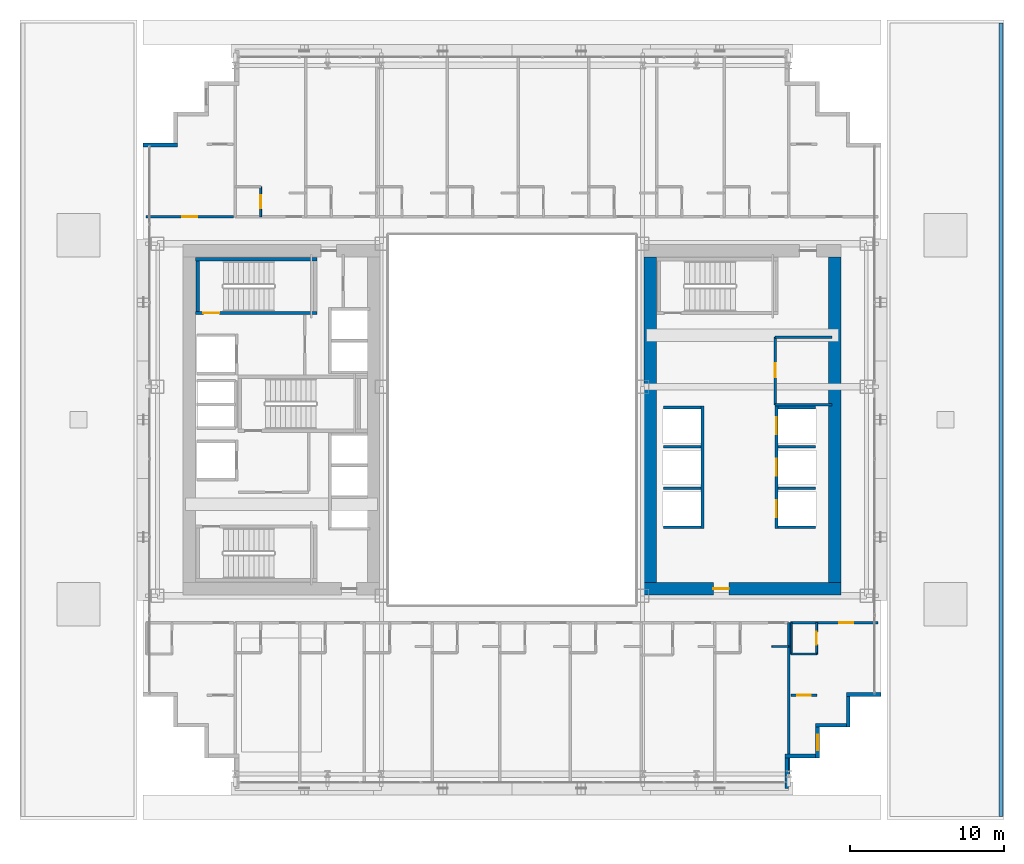
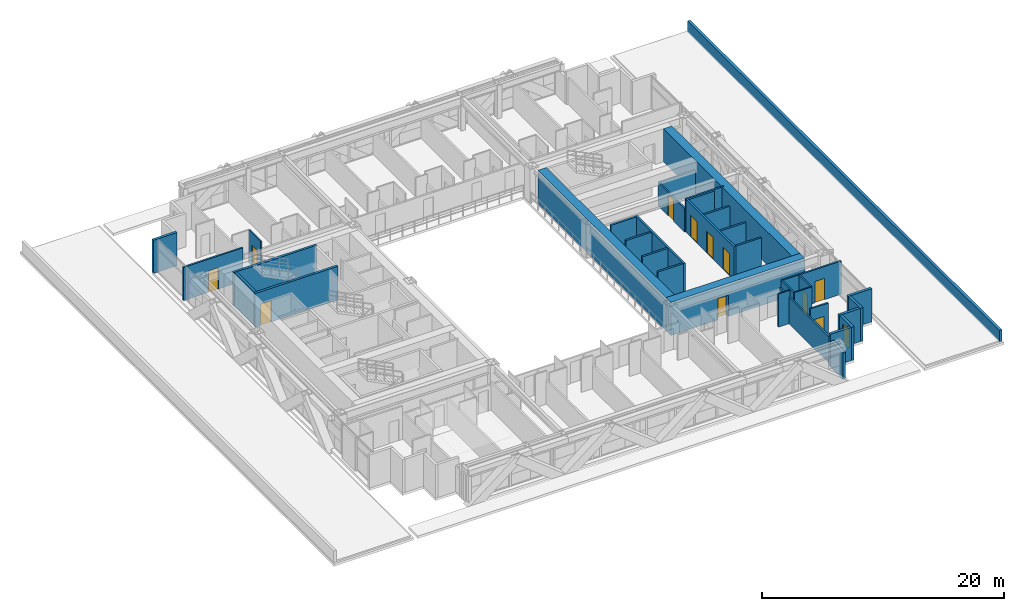
# One storey, part 28 of 35: 36 walls, 11 doors, 1 window, 12 openings.
"""IFC4 building model written with IfcOpenShell, lengths in metres."""

from ifc_helpers import new_model, si_unit, direction, frame, frame_2d, origin, place, context, subcontext, project, spatial, rectangle, extrude, source, transform, mapped, material, layer, layer_set, type_object, element, fill, save


model = new_model("IFC4")

# Units and contexts
model_context = context("Model", 3, precision=1e-05, world=origin(), true_north=direction((0.0, 1.0)))
body_context = subcontext(model_context, "Body", "Model", "MODEL_VIEW")
ifc_project = project(units=[si_unit("LENGTHUNIT", "METRE"), si_unit("AREAUNIT", "SQUARE_METRE"), si_unit("VOLUMEUNIT", "CUBIC_METRE"), si_unit("PLANEANGLEUNIT", "RADIAN"), si_unit("MASSUNIT", "GRAM", prefix="KILO")], contexts=[model_context])

# Site, building, storey
site_placement = place(None, origin())
site = spatial("IfcSite", under=ifc_project, at=site_placement, CompositionType="ELEMENT")
building_placement = place(site_placement, origin())
building = spatial("IfcBuilding", under=site, at=building_placement, Name="Ocotamira Hotel", CompositionType="ELEMENT")
storey_placement = place(building_placement, frame((0.0, 0.0, 34.800048828125)))
storey = spatial("IfcBuildingStorey", under=building, at=storey_placement, Name="L07", CompositionType="ELEMENT", Elevation=34.800048828125)

# Wall, opening, door
ifc_material_1 = material(Name="Concrete C60/75", Category="concrete")
ifc_layer_1 = layer(ifc_material_1, 0.800048828125)
ifc_layer_set_1 = layer_set([ifc_layer_1], Name="Concrete C60/75")
wall_type_1 = type_object("IfcWallType", Name="WL-CORE-800", PredefinedType="SHEAR", material=ifc_layer_set_1)
wall_1_placement = place(storey_placement, frame((40.60009765625, 15.0, 0.0), z_axis=(0.0, 0.0, 1.0), x_axis=(1.0, 0.0, 0.0)))
wall_1 = element("IfcWall", 1, at=wall_1_placement, inside=storey, type_object=wall_type_1, Name="L07 Shear Core Wall ECORE-S", PredefinedType="SHEAR", context=body_context, shape_type="SweptSolid", body=[
    extrude(rectangle(XDim=12.7998046875, YDim=0.800048828125, at=frame_2d((6.39990234375, 0.0))), origin(), (0.0, 0.0, 1.0), 3.349853515625),
])
opening_1_placement = place(wall_1_placement, frame((4.5, 0.0, 0.0)))
opening_1 = element("IfcOpeningElement", 2, at=opening_1_placement, cuts=wall_1, Name="Opening D-FR2", PredefinedType="OPENING", context=body_context, shape_type="SweptSolid", body=[
    extrude(rectangle(XDim=1.0, YDim=2.14990234375, at=frame_2d((0.5, 1.074951171875))), frame((0.0, 0.41015625, 0.0), z_axis=(0.0, -1.0, 0.0), x_axis=(1.0, 0.0, 0.0)), (0.0, 0.0, 1.0), 0.820068359375),
])
ifc_material_2 = material(Name="Fire-rated acoustic timber-veneer door", Category="wood")
door_type_1 = type_object("IfcDoorType", Name="DR-FIRE-1000", OperationType="NOTDEFINED", PredefinedType="DOOR", material=ifc_material_2)
shared_shape_1 = source(origin(), body_context, "Body", "SweptSolid", [
    extrude(rectangle(XDim=1.0, YDim=2.14990234375, at=frame_2d((0.5, 1.074951171875))), frame((0.0, 0.02490234375, 0.0), z_axis=(0.0, -1.0, 0.0), x_axis=(1.0, 0.0, 0.0)), (0.0, 0.0, 1.0), 0.050048828125),
])
door_1_placement = place(opening_1_placement, origin())
door_1 = element("IfcDoor", 3, at=door_1_placement, inside=storey, type_object=door_type_1, Name="L07 Door ID-L07-ELOB-S-D [ID-L07-ELOB-S-D]", OperationType="SINGLE_SWING_RIGHT", OverallHeight=2.14990234375, OverallWidth=1.0, PredefinedType="DOOR", context=body_context, shape_type="MappedRepresentation", body=[
    mapped(shared_shape_1, transform((0.0, 0.0, 0.0), scale=1.0)),
])
fill(opening_1, door_1)

# Walls
for number, where, z_axis, x_axis, name in (
    (4, (41.0, 15.39990234375, 0.0), (0.0, 0.0, 1.0), (0.0, 1.0, 0.0), "L07 Shear Core Wall ECORE-W"),
    (5, (53.0, 15.39990234375, 0.0), (0.0, 0.0, 1.0), (0.0, 1.0, 0.0), "L07 Shear Core Wall ECORE-E"),
):
    element("IfcWall", number, at=place(storey_placement, frame(where, z_axis=z_axis, x_axis=x_axis)), inside=storey, type_object=wall_type_1, Name=name, PredefinedType="SHEAR", context=body_context, shape_type="SweptSolid", body=[
        extrude(rectangle(XDim=21.2001953125, YDim=0.800048828125, at=frame_2d((10.60009765625, 0.0))), origin(), (0.0, 0.0, 1.0), 3.349853515625),
    ])
ifc_material_3 = material(Name="Precast concrete C45/55", Category="concrete")
ifc_layer_2 = layer(ifc_material_3, 0.25)
ifc_layer_set_2 = layer_set([ifc_layer_2], Name="Precast concrete C45/55")
wall_type_2 = type_object("IfcWallType", Name="WL-EXT-SER-250", PredefinedType="SOLIDWALL", material=ifc_layer_set_2)
wall_2_placement = place(storey_placement, frame((49.875, 2.0, 0.0), z_axis=(0.0, 0.0, 1.0), x_axis=(0.0, 1.0, 0.0)))
element("IfcWall", 6, at=wall_2_placement, inside=storey, type_object=wall_type_2, Name="L07 Serrated Corner Wall 01", PredefinedType="SOLIDWALL", context=body_context, shape_type="SweptSolid", body=[
    extrude(rectangle(XDim=2.0, YDim=0.25, at=frame_2d((1.0, 0.0))), origin(), (0.0, 0.0, 1.0), 2.656982421875),
])
wall_3_placement = place(storey_placement, frame((49.75, 4.125, 0.0), z_axis=(0.0, 0.0, 1.0), x_axis=(1.0, 0.0, 0.0)))
element("IfcWall", 7, at=wall_3_placement, inside=storey, type_object=wall_type_2, Name="L07 Serrated Corner Wall 02", PredefinedType="SOLIDWALL", context=body_context, shape_type="SweptSolid", body=[
    extrude(rectangle(XDim=2.0, YDim=0.25, at=frame_2d((1.0, 0.0))), origin(), (0.0, 0.0, 1.0), 3.349853515625),
])

# Wall, opening, window
wall_4_placement = place(storey_placement, frame((51.875, 4.0, 0.0), z_axis=(0.0, 0.0, 1.0), x_axis=(0.0, 1.0, 0.0)))
wall_4 = element("IfcWall", 8, at=wall_4_placement, inside=storey, type_object=wall_type_2, Name="L07 Serrated Corner Wall 03", PredefinedType="SOLIDWALL", context=body_context, shape_type="SweptSolid", body=[
    extrude(rectangle(XDim=2.0, YDim=0.25, at=frame_2d((1.0, 0.0))), origin(), (0.0, 0.0, 1.0), 3.349853515625),
])
opening_2_placement = place(wall_4_placement, frame((0.5, 0.0, 0.85009765625)))
opening_2 = element("IfcOpeningElement", 9, at=opening_2_placement, cuts=wall_4, Name="Opening WN-2", PredefinedType="OPENING", context=body_context, shape_type="SweptSolid", body=[
    extrude(rectangle(XDim=1.0, YDim=1.89990234375, at=frame_2d((0.5, 0.949951171875))), frame((0.0, 0.135009765625, 0.0), z_axis=(0.0, -1.0, 0.0), x_axis=(1.0, 0.0, 0.0)), (0.0, 0.0, 1.0), 0.27001953125),
])
ifc_material_4 = material(Name="Double-silver low-E solar glass", Category="glass")
window_type = type_object("IfcWindowType", Name="WIN-SER-1100", PartitioningType="SINGLE_PANEL", PredefinedType="WINDOW", material=ifc_material_4)
shared_shape_2 = source(origin(), body_context, "Body", "SweptSolid", [
    extrude(rectangle(XDim=1.0, YDim=1.89990234375, at=frame_2d((0.5, 0.949951171875))), frame((0.0, 0.030029296875, 0.0), z_axis=(0.0, -1.0, 0.0), x_axis=(1.0, 0.0, 0.0)), (0.0, 0.0, 1.0), 0.06005859375),
])
window_placement = place(opening_2_placement, origin())
window = element("IfcWindow", 10, at=window_placement, inside=storey, type_object=window_type, Name="L07 Serrated Corner Window 03", OverallHeight=1.89990234375, OverallWidth=1.0, PartitioningType="SINGLE_PANEL", PredefinedType="WINDOW", context=body_context, shape_type="MappedRepresentation", body=[
    mapped(shared_shape_2, transform((0.0, 0.0, 0.0), scale=1.0)),
])
fill(opening_2, window)

# Walls
for number, where, z_axis, x_axis, name in (
    (11, (51.75, 6.125, 0.0), (0.0, 0.0, 1.0), (1.0, 0.0, 0.0), "L07 Serrated Corner Wall 04"),
    (12, (53.875, 6.0, 0.0), (0.0, 0.0, 1.0), (0.0, 1.0, 0.0), "L07 Serrated Corner Wall 05"),
):
    element("IfcWall", number, at=place(storey_placement, frame(where, z_axis=z_axis, x_axis=x_axis)), inside=storey, type_object=wall_type_2, Name=name, PredefinedType="SOLIDWALL", context=body_context, shape_type="SweptSolid", body=[
        extrude(rectangle(XDim=2.0, YDim=0.25, at=frame_2d((1.0, 0.0))), origin(), (0.0, 0.0, 1.0), 3.349853515625),
    ])
for number, where, z_axis, x_axis, name in (
    (13, (53.75, 8.125, 0.0), (0.0, 0.0, 1.0), (1.0, 0.0, 0.0), "L07 Serrated Corner Wall 06"),
    (14, (10.25, 43.875, 0.0), (0.0, 0.0, 1.0), (-1.0, 0.0, 0.0), "L07 Serrated Corner Wall 18"),
):
    element("IfcWall", number, at=place(storey_placement, frame(where, z_axis=z_axis, x_axis=x_axis)), inside=storey, type_object=wall_type_2, Name=name, PredefinedType="SOLIDWALL", context=body_context, shape_type="SweptSolid", body=[
        extrude(rectangle(XDim=2.25, YDim=0.25, at=frame_2d((1.125, 0.0))), origin(), (0.0, 0.0, 1.0), 3.349853515625),
    ])
ifc_material_5 = material(Name="Acoustic double-layer fire gypsum board partition", Category="gypsum")
ifc_layer_3 = layer(ifc_material_5, 0.159912109375)
ifc_layer_set_3 = layer_set([ifc_layer_3], Name="Acoustic double-layer fire gypsum board partition")
wall_type_3 = type_object("IfcWallType", Name="WL-FIRE-160", PredefinedType="PARTITIONING", material=ifc_layer_set_3)
wall_5_placement = place(storey_placement, frame((49.1201171875, 26.969970703125, 0.0), z_axis=(0.0, 0.0, 1.0), x_axis=(1.0, 0.0, 0.0)))
element("IfcWall", 15, at=wall_5_placement, inside=storey, type_object=wall_type_3, Name="L07 Interior Wall PW-L07-EC-NEL-S", PredefinedType="PARTITIONING", context=body_context, shape_type="SweptSolid", body=[
    extrude(rectangle(XDim=3.679931640625, YDim=0.159912109375, at=frame_2d((1.83984375, 0.0))), origin(), (0.0, 0.0, 1.0), 3.349853515625),
])
wall_6_placement = place(storey_placement, frame((49.1201171875, 31.3798828125, 0.0), z_axis=(0.0, 0.0, 1.0), x_axis=(1.0, 0.0, 0.0)))
element("IfcWall", 16, at=wall_6_placement, inside=storey, type_object=wall_type_3, Name="L07 Interior Wall PW-L07-EC-NEL-N", PredefinedType="PARTITIONING", context=body_context, shape_type="SweptSolid", body=[
    extrude(rectangle(XDim=3.679931640625, YDim=0.159912109375, at=frame_2d((1.83984375, 0.0))), origin(), (0.0, 0.0, 1.0), 2.35986328125),
])

# Wall, opening, door
wall_7_placement = place(storey_placement, frame((49.1201171875, 26.969970703125, 0.0), z_axis=(0.0, 0.0, 1.0), x_axis=(0.0, 1.0, 0.0)))
wall_7 = element("IfcWall", 17, at=wall_7_placement, inside=storey, type_object=wall_type_3, Name="L07 Interior Wall PW-L07-EC-NEL-W", PredefinedType="PARTITIONING", context=body_context, shape_type="SweptSolid", body=[
    extrude(rectangle(XDim=4.409912109375, YDim=0.159912109375, at=frame_2d((2.205078125, 0.0))), origin(), (0.0, 0.0, 1.0), 2.35986328125),
])
opening_3_placement = place(wall_7_placement, frame((1.800048828125, 0.0, 0.0)))
opening_3 = element("IfcOpeningElement", 18, at=opening_3_placement, cuts=wall_7, Name="Opening D-IN3", PredefinedType="OPENING", context=body_context, shape_type="SweptSolid", body=[
    extrude(rectangle(XDim=0.89990234375, YDim=2.14990234375, at=frame_2d((0.449951171875, 1.074951171875))), frame((0.0, 0.08984375, 0.0), z_axis=(0.0, -1.0, 0.0), x_axis=(1.0, 0.0, 0.0)), (0.0, 0.0, 1.0), 0.179931640625),
])
ifc_material_6 = material(Name="Painted service room door", Category="steel")
door_type_2 = type_object("IfcDoorType", Name="DR-INT-900", OperationType="NOTDEFINED", PredefinedType="DOOR", material=ifc_material_6)
shared_shape_3 = source(origin(), body_context, "Body", "SweptSolid", [
    extrude(rectangle(XDim=0.89990234375, YDim=2.14990234375, at=frame_2d((0.449951171875, 1.074951171875))), frame((0.0, 0.02490234375, 0.0), z_axis=(0.0, -1.0, 0.0), x_axis=(1.0, 0.0, 0.0)), (0.0, 0.0, 1.0), 0.050048828125),
])
door_2_placement = place(opening_3_placement, origin())
door_2 = element("IfcDoor", 19, at=door_2_placement, inside=storey, type_object=door_type_2, Name="L07 Door ID-L07-EC-NEL-D [ID-L07-EC-NEL-D]", OperationType="SINGLE_SWING_RIGHT", OverallHeight=2.14990234375, OverallWidth=0.89990234375, PredefinedType="DOOR", context=body_context, shape_type="MappedRepresentation", body=[
    mapped(shared_shape_3, transform((0.0, 0.0, 0.0), scale=1.0)),
])
fill(opening_3, door_2)

wall_8_placement = place(storey_placement, frame((50.1201171875, 12.800048828125, 0.0), z_axis=(0.0, 0.0, 1.0), x_axis=(1.0, 0.0, 0.0)))
wall_8 = element("IfcWall", 20, at=wall_8_placement, inside=storey, type_object=wall_type_3, Name="L07 Interior Wall PW-L07-Z1A-CSE-CW", PredefinedType="PARTITIONING", context=body_context, shape_type="SweptSolid", body=[
    extrude(rectangle(XDim=5.679931640625, YDim=0.159912109375, at=frame_2d((2.83984375, 0.0))), origin(), (0.0, 0.0, 1.0), 3.349853515625),
])
opening_4_placement = place(wall_8_placement, frame((3.14990234375, 0.0, 0.0)))
opening_4 = element("IfcOpeningElement", 21, at=opening_4_placement, cuts=wall_8, Name="Opening D-GR1", PredefinedType="OPENING", context=body_context, shape_type="SweptSolid", body=[
    extrude(rectangle(XDim=0.93994140625, YDim=2.14990234375, at=frame_2d((0.469970703125, 1.074951171875))), frame((0.0, 0.08984375, 0.0), z_axis=(0.0, -1.0, 0.0), x_axis=(1.0, 0.0, 0.0)), (0.0, 0.0, 1.0), 0.179931640625),
])
ifc_material_7 = material(Name="Solid-core walnut suite entrance fire door", Category="wood")
door_type_3 = type_object("IfcDoorType", Name="DR-GUEST-940", OperationType="NOTDEFINED", PredefinedType="DOOR", material=ifc_material_7)
shared_shape_4 = source(origin(), body_context, "Body", "SweptSolid", [
    extrude(rectangle(XDim=0.93994140625, YDim=2.14990234375, at=frame_2d((0.469970703125, 1.074951171875))), frame((0.0, 0.02490234375, 0.0), z_axis=(0.0, -1.0, 0.0), x_axis=(1.0, 0.0, 0.0)), (0.0, 0.0, 1.0), 0.050048828125),
])
door_3_placement = place(opening_4_placement, origin())
door_3 = element("IfcDoor", 22, at=door_3_placement, inside=storey, type_object=door_type_3, Name="L07 Door ID-L07-Z1A-CSE-CD [ID-L07-Z1A-CSE-CD]", OperationType="SINGLE_SWING_RIGHT", OverallHeight=2.14990234375, OverallWidth=0.93994140625, PredefinedType="DOOR", context=body_context, shape_type="MappedRepresentation", body=[
    mapped(shared_shape_4, transform((0.0, 0.0, 0.0), scale=1.0)),
])
fill(opening_4, door_3)

wall_9_placement = place(storey_placement, frame((8.199951171875, 39.199951171875, 0.0), z_axis=(0.0, 0.0, 1.0), x_axis=(1.0, 0.0, 0.0)))
wall_9 = element("IfcWall", 23, at=wall_9_placement, inside=storey, type_object=wall_type_3, Name="L07 Interior Wall PW-L07-Z1A-CNW-CW", PredefinedType="PARTITIONING", context=body_context, shape_type="SweptSolid", body=[
    extrude(rectangle(XDim=5.679931640625, YDim=0.159912109375, at=frame_2d((2.83984375, 0.0))), origin(), (0.0, 0.0, 1.0), 3.349853515625),
])
opening_5_placement = place(wall_9_placement, frame((2.360107421875, 0.0, 0.0)))
opening_5 = element("IfcOpeningElement", 24, at=opening_5_placement, cuts=wall_9, Name="Opening D-SV4", PredefinedType="OPENING", context=body_context, shape_type="SweptSolid", body=[
    extrude(rectangle(XDim=0.9599609375, YDim=2.14990234375, at=frame_2d((0.47998046875, 1.074951171875))), frame((0.0, 0.08984375, 0.0), z_axis=(0.0, -1.0, 0.0), x_axis=(1.0, 0.0, 0.0)), (0.0, 0.0, 1.0), 0.179931640625),
])
ifc_material_8 = material(Name="Fire-rated accessible walnut salon door", Category="wood")
door_type_4 = type_object("IfcDoorType", Name="DR-SERV-960", OperationType="NOTDEFINED", PredefinedType="DOOR", material=ifc_material_8)
shared_shape_5 = source(origin(), body_context, "Body", "SweptSolid", [
    extrude(rectangle(XDim=0.9599609375, YDim=2.14990234375, at=frame_2d((0.47998046875, 1.074951171875))), frame((0.0, 0.02490234375, 0.0), z_axis=(0.0, -1.0, 0.0), x_axis=(1.0, 0.0, 0.0)), (0.0, 0.0, 1.0), 0.050048828125),
])
door_4_placement = place(opening_5_placement, origin())
door_4 = element("IfcDoor", 25, at=door_4_placement, inside=storey, type_object=door_type_4, Name="L07 Door ID-L07-Z1A-CNW-CD [ID-L07-Z1A-CNW-CD]", OperationType="SINGLE_SWING_LEFT", OverallHeight=2.14990234375, OverallWidth=0.9599609375, PredefinedType="DOOR", context=body_context, shape_type="MappedRepresentation", body=[
    mapped(shared_shape_5, transform((0.0, 0.0, 0.0), scale=1.0)),
])
fill(opening_5, door_4)

wall_10_placement = place(storey_placement, frame((50.14990234375, 8.080078125, 0.0), z_axis=(0.0, 0.0, 1.0), x_axis=(1.0, 0.0, 0.0)))
wall_10 = element("IfcWall", 26, at=wall_10_placement, inside=storey, type_object=wall_type_3, Name="L07 Interior Wall PW-L07-Z1A-CSE2-CW", PredefinedType="PARTITIONING", context=body_context, shape_type="SweptSolid", body=[
    extrude(rectangle(XDim=1.7001953125, YDim=0.159912109375, at=frame_2d((0.85009765625, 0.0))), origin(), (0.0, 0.0, 1.0), 3.349853515625),
])
opening_6_placement = place(wall_10_placement, frame((0.409912109375, 0.0, 0.0)))
opening_6 = element("IfcOpeningElement", 27, at=opening_6_placement, cuts=wall_10, Name="Opening D-SV2", PredefinedType="OPENING", context=body_context, shape_type="SweptSolid", body=[
    extrude(rectangle(XDim=0.8798828125, YDim=2.14990234375, at=frame_2d((0.43994140625, 1.074951171875))), frame((0.0, 0.08984375, 0.0), z_axis=(0.0, -1.0, 0.0), x_axis=(1.0, 0.0, 0.0)), (0.0, 0.0, 1.0), 0.179931640625),
])
ifc_material_9 = material(Name="Fire-rated painted steel service door", Category="steel")
door_type_5 = type_object("IfcDoorType", Name="DR-SERV-880", OperationType="NOTDEFINED", PredefinedType="DOOR", material=ifc_material_9)
shared_shape_6 = source(origin(), body_context, "Body", "SweptSolid", [
    extrude(rectangle(XDim=0.8798828125, YDim=2.14990234375, at=frame_2d((0.43994140625, 1.074951171875))), frame((0.0, 0.02490234375, 0.0), z_axis=(0.0, -1.0, 0.0), x_axis=(1.0, 0.0, 0.0)), (0.0, 0.0, 1.0), 0.050048828125),
])
door_5_placement = place(opening_6_placement, origin())
door_5 = element("IfcDoor", 28, at=door_5_placement, inside=storey, type_object=door_type_5, Name="L07 Door ID-L07-Z1A-CSE2-CD [ID-L07-Z1A-CSE2-CD]", OperationType="SINGLE_SWING_LEFT", OverallHeight=2.14990234375, OverallWidth=0.8798828125, PredefinedType="DOOR", context=body_context, shape_type="MappedRepresentation", body=[
    mapped(shared_shape_6, transform((0.0, 0.0, 0.0), scale=1.0)),
])
fill(opening_6, door_5)

# Wall
ifc_layer_4 = layer(ifc_material_3, 0.260009765625)
ifc_layer_set_4 = layer_set([ifc_layer_4], Name="Precast concrete C45/55")
wall_type_4 = type_object("IfcWallType", Name="WL-PARA-260", PredefinedType="PARAPET", material=ifc_layer_set_4)
wall_11_placement = place(storey_placement, frame((63.800048828125, 0.199951171875, 0.0), z_axis=(0.0, 0.0, 1.0), x_axis=(0.0, 1.0, 0.0)))
element("IfcWall", 29, at=wall_11_placement, inside=storey, type_object=wall_type_4, Name="L07 Roof Parapet Wall PODE", PredefinedType="PARAPET", context=body_context, shape_type="SweptSolid", body=[
    extrude(rectangle(XDim=51.60009765625, YDim=0.260009765625, at=frame_2d((25.800048828125, 0.0))), origin(), (0.0, 0.0, 1.0), 1.14990234375),
])

# Wall, opening, door
ifc_material_10 = material(Name="Moisture-resistant en-suite tile and gypsum partition", Category="gypsum")
ifc_layer_5 = layer(ifc_material_10, 0.1201171875)
ifc_layer_set_5 = layer_set([ifc_layer_5], Name="Moisture-resistant en-suite tile and gypsum partition")
wall_type_5 = type_object("IfcWallType", Name="WL-PART-120", PredefinedType="PARTITIONING", material=ifc_layer_set_5)
wall_12_placement = place(storey_placement, frame((51.81005859375, 10.760009765625, 0.0), z_axis=(0.0, 0.0, 1.0), x_axis=(0.0, 1.0, 0.0)))
wall_12 = element("IfcWall", 30, at=wall_12_placement, inside=storey, type_object=wall_type_5, Name="L07 Interior Wall PW-L07-Z1A-CSE-BE", PredefinedType="PARTITIONING", context=body_context, shape_type="SweptSolid", body=[
    extrude(rectangle(XDim=2.0400390625, YDim=0.1201171875, at=frame_2d((1.02001953125, 0.0))), origin(), (0.0, 0.0, 1.0), 3.349853515625),
])
opening_7_placement = place(wall_12_placement, frame((0.590087890625, 0.0, 0.0)))
opening_7 = element("IfcOpeningElement", 31, at=opening_7_placement, cuts=wall_12, Name="Opening D-BA1", PredefinedType="OPENING", context=body_context, shape_type="SweptSolid", body=[
    extrude(rectangle(XDim=0.860107421875, YDim=2.10009765625, at=frame_2d((0.43017578125, 1.050048828125))), frame((0.0, 0.070068359375, 0.0), z_axis=(0.0, -1.0, 0.0), x_axis=(1.0, 0.0, 0.0)), (0.0, 0.0, 1.0), 0.14013671875),
])
ifc_material_11 = material(Name="Moisture-sealed en-suite timber door", Category="wood")
door_type_6 = type_object("IfcDoorType", Name="DR-BATH-860", OperationType="NOTDEFINED", PredefinedType="DOOR", material=ifc_material_11)
shared_shape_7 = source(origin(), body_context, "Body", "SweptSolid", [
    extrude(rectangle(XDim=0.860107421875, YDim=2.10009765625, at=frame_2d((0.43017578125, 1.050048828125))), frame((0.0, 0.02490234375, 0.0), z_axis=(0.0, -1.0, 0.0), x_axis=(1.0, 0.0, 0.0)), (0.0, 0.0, 1.0), 0.050048828125),
])
door_6_placement = place(opening_7_placement, origin())
door_6 = element("IfcDoor", 32, at=door_6_placement, inside=storey, type_object=door_type_6, Name="L07 Door ID-L07-Z1A-CSE-BD [ID-L07-Z1A-CSE-BD]", OperationType="SINGLE_SWING_LEFT", OverallHeight=2.10009765625, OverallWidth=0.860107421875, PredefinedType="DOOR", context=body_context, shape_type="MappedRepresentation", body=[
    mapped(shared_shape_7, transform((0.0, 0.0, 0.0), scale=1.0)),
])
fill(opening_7, door_6)

# Walls
wall_13_placement = place(storey_placement, frame((50.159912109375, 10.760009765625, 0.0), z_axis=(0.0, 0.0, 1.0), x_axis=(0.0, 1.0, 0.0)))
element("IfcWall", 33, at=wall_13_placement, inside=storey, type_object=wall_type_5, Name="L07 Interior Wall PW-L07-Z1A-CSE-BW", PredefinedType="PARTITIONING", context=body_context, shape_type="SweptSolid", body=[
    extrude(rectangle(XDim=2.0400390625, YDim=0.1201171875, at=frame_2d((1.02001953125, 0.0))), origin(), (0.0, 0.0, 1.0), 3.349853515625),
])
wall_14_placement = place(storey_placement, frame((50.159912109375, 10.760009765625, 0.0), z_axis=(0.0, 0.0, 1.0), x_axis=(1.0, 0.0, 0.0)))
element("IfcWall", 34, at=wall_14_placement, inside=storey, type_object=wall_type_5, Name="L07 Interior Wall PW-L07-Z1A-CSE-BH", PredefinedType="PARTITIONING", context=body_context, shape_type="SweptSolid", body=[
    extrude(rectangle(XDim=1.650146484375, YDim=0.1201171875, at=frame_2d((0.8251953125, 0.0))), origin(), (0.0, 0.0, 1.0), 3.349853515625),
])
wall_15_placement = place(storey_placement, frame((48.89990234375, 11.25, 0.0), z_axis=(0.0, 0.0, 1.0), x_axis=(1.0, 0.0, 0.0)))
element("IfcWall", 35, at=wall_15_placement, inside=storey, type_object=wall_type_5, Name="L07 Interior Wall PW-L07-Z1AS-DRN8", PredefinedType="PARTITIONING", context=body_context, shape_type="SweptSolid", body=[
    extrude(rectangle(XDim=1.10009765625, YDim=0.1201171875, at=frame_2d((0.550048828125, 0.0))), origin(), (0.0, 0.0, 1.0), 3.349853515625),
])

# Wall, opening, door
wall_16_placement = place(storey_placement, frame((15.64990234375, 39.199951171875, 0.0), z_axis=(0.0, 0.0, 1.0), x_axis=(0.0, 1.0, 0.0)))
wall_16 = element("IfcWall", 36, at=wall_16_placement, inside=storey, type_object=wall_type_5, Name="L07 Interior Wall PW-L07-Z1AN-BAE1", PredefinedType="PARTITIONING", context=body_context, shape_type="SweptSolid", body=[
    extrude(rectangle(XDim=1.949951171875, YDim=0.1201171875, at=frame_2d((0.97509765625, 0.0))), origin(), (0.0, 0.0, 1.0), 3.349853515625),
])
opening_8_placement = place(wall_16_placement, frame((0.544921875, 0.0, 0.0)))
opening_8 = element("IfcOpeningElement", 37, at=opening_8_placement, cuts=wall_16, Name="Opening D-BA1", PredefinedType="OPENING", context=body_context, shape_type="SweptSolid", body=[
    extrude(rectangle(XDim=0.860107421875, YDim=2.10009765625, at=frame_2d((0.43017578125, 1.050048828125))), frame((0.0, 0.070068359375, 0.0), z_axis=(0.0, -1.0, 0.0), x_axis=(1.0, 0.0, 0.0)), (0.0, 0.0, 1.0), 0.14013671875),
])
door_7_placement = place(opening_8_placement, origin())
door_7 = element("IfcDoor", 38, at=door_7_placement, inside=storey, type_object=door_type_6, Name="L07 Door ID-L07-Z1AN-BAD1 [ID-L07-Z1AN-BAD1]", OperationType="SINGLE_SWING_RIGHT", OverallHeight=2.10009765625, OverallWidth=0.860107421875, PredefinedType="DOOR", context=body_context, shape_type="MappedRepresentation", body=[
    mapped(shared_shape_7, transform((0.0, 0.0, 0.0), scale=1.0)),
])
fill(opening_8, door_7)

# Wall
ifc_material_12 = material(Name="Acoustic double-stud hospitality gypsum partition", Category="gypsum")
ifc_layer_6 = layer(ifc_material_12, 0.159912109375)
ifc_layer_set_6 = layer_set([ifc_layer_6], Name="Acoustic double-stud hospitality gypsum partition")
wall_type_6 = type_object("IfcWallType", Name="WL-PART-160", PredefinedType="PARTITIONING", material=ifc_layer_set_6)
wall_17_placement = place(storey_placement, frame((50.0, 2.360107421875, 0.0), z_axis=(0.0, 0.0, 1.0), x_axis=(0.0, 1.0, 0.0)))
element("IfcWall", 39, at=wall_17_placement, inside=storey, type_object=wall_type_6, Name="L07 Interior Wall PW-L07-Z1AS-PWEND", PredefinedType="PARTITIONING", context=body_context, shape_type="SweptSolid", body=[
    extrude(rectangle(XDim=10.43994140625, YDim=0.159912109375, at=frame_2d((5.219970703125, 0.0))), origin(), (0.0, 0.0, 1.0), 2.656982421875),
])

# Wall, openings, doors
ifc_material_13 = material(Name="Fire-rated gypsum shaftliner board assembly", Category="gypsum")
ifc_layer_7 = layer(ifc_material_13, 0.179931640625)
ifc_layer_set_7 = layer_set([ifc_layer_7], Name="Fire-rated gypsum shaftliner board assembly")
wall_type_7 = type_object("IfcWallType", Name="WL-SHAFT-180", PredefinedType="SOLIDWALL", material=ifc_layer_set_7)
wall_18_placement = place(storey_placement, frame((49.2099609375, 18.919921875, 0.0), z_axis=(0.0, 0.0, 1.0), x_axis=(0.0, 1.0, 0.0)))
wall_18 = element("IfcWall", 40, at=wall_18_placement, inside=storey, type_object=wall_type_7, Name="L07 Interior Wall PW-L07-LFW-BANK-low-F", PredefinedType="SOLIDWALL", context=body_context, shape_type="SweptSolid", body=[
    extrude(rectangle(XDim=7.9599609375, YDim=0.179931640625, at=frame_2d((3.97998046875, 0.0))), origin(), (0.0, 0.0, 1.0), 3.349853515625),
])
opening_9_placement = place(wall_18_placement, frame((0.72998046875, 0.0, 0.0)))
opening_9 = element("IfcOpeningElement", 41, at=opening_9_placement, cuts=wall_18, Name="Opening LD-LF-P1", PredefinedType="OPENING", context=body_context, shape_type="SweptSolid", body=[
    extrude(rectangle(XDim=1.10009765625, YDim=2.199951171875, at=frame_2d((0.550048828125, 1.10009765625))), frame((0.0, 0.10009765625, 0.0), z_axis=(0.0, -1.0, 0.0), x_axis=(1.0, 0.0, 0.0)), (0.0, 0.0, 1.0), 0.199951171875),
])
opening_10_placement = place(wall_18_placement, frame((3.429931640625, 0.0, 0.0)))
opening_10 = element("IfcOpeningElement", 42, at=opening_10_placement, cuts=wall_18, Name="Opening LD-LF-P2", PredefinedType="OPENING", context=body_context, shape_type="SweptSolid", body=[
    extrude(rectangle(XDim=1.10009765625, YDim=2.199951171875, at=frame_2d((0.550048828125, 1.10009765625))), frame((0.0, 0.10009765625, 0.0), z_axis=(0.0, -1.0, 0.0), x_axis=(1.0, 0.0, 0.0)), (0.0, 0.0, 1.0), 0.199951171875),
])
opening_11_placement = place(wall_18_placement, frame((6.1298828125, 0.0, 0.0)))
opening_11 = element("IfcOpeningElement", 43, at=opening_11_placement, cuts=wall_18, Name="Opening LD-LF-P3", PredefinedType="OPENING", context=body_context, shape_type="SweptSolid", body=[
    extrude(rectangle(XDim=1.10009765625, YDim=2.199951171875, at=frame_2d((0.550048828125, 1.10009765625))), frame((0.0, 0.10009765625, 0.0), z_axis=(0.0, -1.0, 0.0), x_axis=(1.0, 0.0, 0.0)), (0.0, 0.0, 1.0), 0.199951171875),
])
ifc_material_14 = material(Name="Brushed pale-metal stainless elevator landing door", Category="steel")
door_type_7 = type_object("IfcDoorType", Name="DR-LIFT-1100", OperationType="NOTDEFINED", PredefinedType="DOOR", material=ifc_material_14)
shared_shape_8 = source(origin(), body_context, "Body", "SweptSolid", [
    extrude(rectangle(XDim=1.10009765625, YDim=2.199951171875, at=frame_2d((0.550048828125, 1.10009765625))), frame((0.0, 0.02490234375, 0.0), z_axis=(0.0, -1.0, 0.0), x_axis=(1.0, 0.0, 0.0)), (0.0, 0.0, 1.0), 0.050048828125),
])
door_8_placement = place(opening_9_placement, origin())
door_8 = element("IfcDoor", 44, at=door_8_placement, inside=storey, type_object=door_type_7, Name="L07 Landing Door LD-LF-P1 [ID-L07-LD-LF-P1]", OperationType="DOUBLE_DOOR_SLIDING", OverallHeight=2.199951171875, OverallWidth=1.10009765625, PredefinedType="DOOR", context=body_context, shape_type="MappedRepresentation", body=[
    mapped(shared_shape_8, transform((0.0, 0.0, 0.0), scale=1.0)),
])
fill(opening_9, door_8)
door_9_placement = place(opening_10_placement, origin())
door_9 = element("IfcDoor", 45, at=door_9_placement, inside=storey, type_object=door_type_7, Name="L07 Landing Door LD-LF-P2 [ID-L07-LD-LF-P2]", OperationType="DOUBLE_DOOR_SLIDING", OverallHeight=2.199951171875, OverallWidth=1.10009765625, PredefinedType="DOOR", context=body_context, shape_type="MappedRepresentation", body=[
    mapped(shared_shape_8, transform((0.0, 0.0, 0.0), scale=1.0)),
])
fill(opening_10, door_9)
door_10_placement = place(opening_11_placement, origin())
door_10 = element("IfcDoor", 46, at=door_10_placement, inside=storey, type_object=door_type_7, Name="L07 Landing Door LD-LF-P3 [ID-L07-LD-LF-P3]", OperationType="DOUBLE_DOOR_SLIDING", OverallHeight=2.199951171875, OverallWidth=1.10009765625, PredefinedType="DOOR", context=body_context, shape_type="MappedRepresentation", body=[
    mapped(shared_shape_8, transform((0.0, 0.0, 0.0), scale=1.0)),
])
fill(opening_11, door_10)

# Walls
for number, where, z_axis, x_axis, name in (
    (47, (49.300048828125, 19.010009765625, 0.0), (0.0, 0.0, 1.0), (1.0, 0.0, 0.0), "L07 Interior Wall PW-L07-LFW-BANK-low-S"),
    (48, (49.300048828125, 26.7900390625, 0.0), (0.0, 0.0, 1.0), (1.0, 0.0, 0.0), "L07 Interior Wall PW-L07-LFW-BANK-low-N"),
    (49, (49.300048828125, 21.550048828125, 0.0), (0.0, 0.0, 1.0), (1.0, 0.0, 0.0), "L07 Interior Wall PW-L07-LFW-DIV-LF-P1"),
    (50, (49.300048828125, 24.25, 0.0), (0.0, 0.0, 1.0), (1.0, 0.0, 0.0), "L07 Interior Wall PW-L07-LFW-DIV-LF-P2"),
):
    element("IfcWall", number, at=place(storey_placement, frame(where, z_axis=z_axis, x_axis=x_axis)), inside=storey, type_object=wall_type_7, Name=name, PredefinedType="SOLIDWALL", context=body_context, shape_type="SweptSolid", body=[
        extrude(rectangle(XDim=2.449951171875, YDim=0.179931640625, at=frame_2d((1.22509765625, 0.0))), origin(), (0.0, 0.0, 1.0), 3.349853515625),
    ])
wall_19_placement = place(storey_placement, frame((44.389892578125, 18.919921875, 0.0), z_axis=(0.0, 0.0, 1.0), x_axis=(0.0, 1.0, 0.0)))
element("IfcWall", 51, at=wall_19_placement, inside=storey, type_object=wall_type_7, Name="L07 Interior Wall PW-L07-LFW-BANK-mid-F", PredefinedType="SOLIDWALL", context=body_context, shape_type="SweptSolid", body=[
    extrude(rectangle(XDim=7.9599609375, YDim=0.179931640625, at=frame_2d((3.97998046875, 0.0))), origin(), (0.0, 0.0, 1.0), 3.349853515625),
])
for number, where, z_axis, x_axis, name in (
    (52, (41.85009765625, 19.010009765625, 0.0), (0.0, 0.0, 1.0), (1.0, 0.0, 0.0), "L07 Interior Wall PW-L07-LFW-BANK-mid-S"),
    (53, (41.85009765625, 26.7900390625, 0.0), (0.0, 0.0, 1.0), (1.0, 0.0, 0.0), "L07 Interior Wall PW-L07-LFW-BANK-mid-N"),
    (54, (41.85009765625, 21.550048828125, 0.0), (0.0, 0.0, 1.0), (1.0, 0.0, 0.0), "L07 Interior Wall PW-L07-LFW-DIV-LF-P4"),
    (55, (41.85009765625, 24.25, 0.0), (0.0, 0.0, 1.0), (1.0, 0.0, 0.0), "L07 Interior Wall PW-L07-LFW-DIV-LF-P5"),
):
    element("IfcWall", number, at=place(storey_placement, frame(where, z_axis=z_axis, x_axis=x_axis)), inside=storey, type_object=wall_type_7, Name=name, PredefinedType="SOLIDWALL", context=body_context, shape_type="SweptSolid", body=[
        extrude(rectangle(XDim=2.449951171875, YDim=0.179931640625, at=frame_2d((1.22509765625, 0.0))), origin(), (0.0, 0.0, 1.0), 3.349853515625),
    ])

# Wall, opening, door
ifc_material_15 = material(Name="Concrete C50/60", Category="concrete")
ifc_layer_8 = layer(ifc_material_15, 0.219970703125)
ifc_layer_set_8 = layer_set([ifc_layer_8], Name="Concrete C50/60")
wall_type_8 = type_object("IfcWallType", Name="WL-STAIR-220", PredefinedType="SHEAR", material=ifc_layer_set_8)
wall_20_placement = place(storey_placement, frame((11.39990234375, 32.93994140625, 0.0), z_axis=(0.0, 0.0, 1.0), x_axis=(1.0, 0.0, 0.0)))
wall_20 = element("IfcWall", 56, at=wall_20_placement, inside=storey, type_object=wall_type_8, Name="L07 Stair Shaft Structural Wall ST-2-S", PredefinedType="SHEAR", context=body_context, shape_type="SweptSolid", body=[
    extrude(rectangle(XDim=7.91015625, YDim=0.219970703125, at=frame_2d((3.955078125, 0.0))), origin(), (0.0, 0.0, 1.0), 3.39990234375),
])
opening_12_placement = place(wall_20_placement, frame((0.52001953125, 0.0, 0.0)))
opening_12 = element("IfcOpeningElement", 57, at=opening_12_placement, cuts=wall_20, Name="Opening D-ST2", PredefinedType="OPENING", context=body_context, shape_type="SweptSolid", body=[
    extrude(rectangle(XDim=1.050048828125, YDim=2.14990234375, at=frame_2d((0.52490234375, 1.074951171875))), frame((0.0, 0.1201171875, 0.0), z_axis=(0.0, -1.0, 0.0), x_axis=(1.0, 0.0, 0.0)), (0.0, 0.0, 1.0), 0.239990234375),
])
ifc_material_16 = material(Name="Insulated painted hollow-metal fire exit door", Category="steel")
door_type_8 = type_object("IfcDoorType", Name="DR-STAIR-1050", OperationType="NOTDEFINED", PredefinedType="DOOR", material=ifc_material_16)
shared_shape_9 = source(origin(), body_context, "Body", "SweptSolid", [
    extrude(rectangle(XDim=1.050048828125, YDim=2.14990234375, at=frame_2d((0.52490234375, 1.074951171875))), frame((0.0, 0.02490234375, 0.0), z_axis=(0.0, -1.0, 0.0), x_axis=(1.0, 0.0, 0.0)), (0.0, 0.0, 1.0), 0.050048828125),
])
door_11_placement = place(opening_12_placement, origin())
door_11 = element("IfcDoor", 58, at=door_11_placement, inside=storey, type_object=door_type_8, Name="L07 Door ID-L07-STD-ST-2 [ID-L07-STD-ST-2]", OperationType="SINGLE_SWING_LEFT", OverallHeight=2.14990234375, OverallWidth=1.050048828125, PredefinedType="DOOR", context=body_context, shape_type="MappedRepresentation", body=[
    mapped(shared_shape_9, transform((0.0, 0.0, 0.0), scale=1.0)),
])
fill(opening_12, door_11)

# Walls
wall_21_placement = place(storey_placement, frame((11.39990234375, 36.43994140625, 0.0), z_axis=(0.0, 0.0, 1.0), x_axis=(1.0, 0.0, 0.0)))
element("IfcWall", 59, at=wall_21_placement, inside=storey, type_object=wall_type_8, Name="L07 Stair Shaft Structural Wall ST-2-N", PredefinedType="SHEAR", context=body_context, shape_type="SweptSolid", body=[
    extrude(rectangle(XDim=7.91015625, YDim=0.219970703125, at=frame_2d((3.955078125, 0.0))), origin(), (0.0, 0.0, 1.0), 3.39990234375),
])
wall_22_placement = place(storey_placement, frame((11.56005859375, 33.050048828125, 0.0), z_axis=(0.0, 0.0, 1.0), x_axis=(0.0, 1.0, 0.0)))
element("IfcWall", 60, at=wall_22_placement, inside=storey, type_object=wall_type_8, Name="L07 Stair Shaft Structural Wall ST-2-W", PredefinedType="SHEAR", context=body_context, shape_type="SweptSolid", body=[
    extrude(rectangle(XDim=3.280029296875, YDim=0.219970703125, at=frame_2d((1.64013671875, 0.0))), origin(), (0.0, 0.0, 1.0), 3.39990234375),
])

save(model, "model.ifc")
